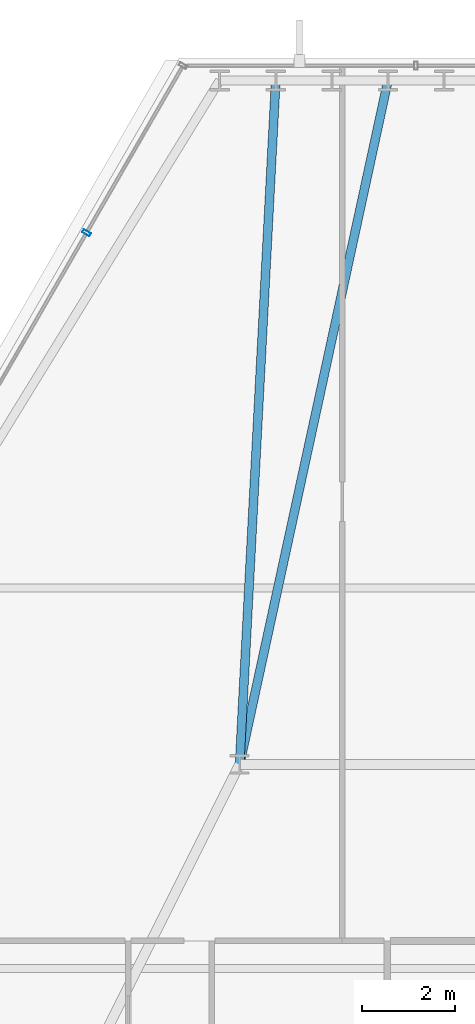
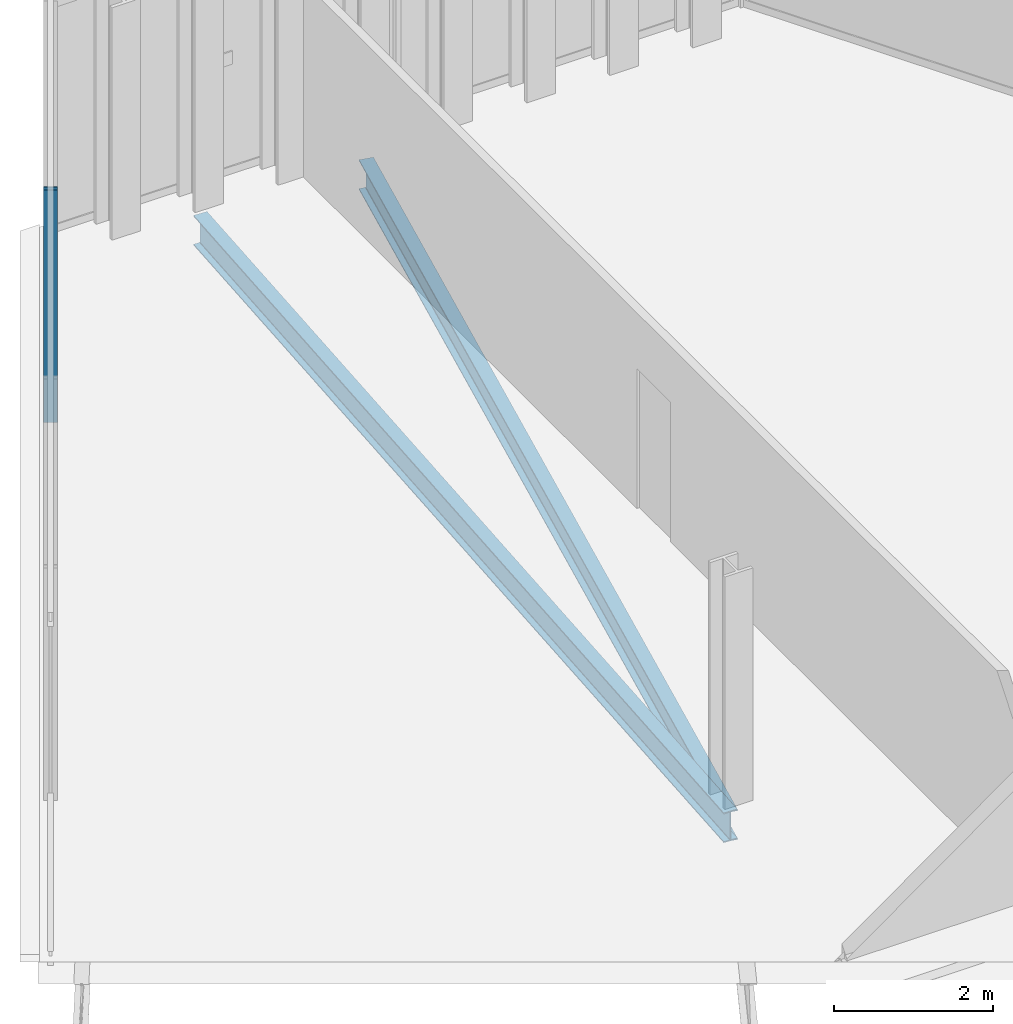
# One storey, part 23 of 35: 2 beams, 1 member, 1 element without a shape of its own.
"""IFC4 building model written with IfcOpenShell, lengths in metres."""

from ifc_helpers import new_model, si_unit, direction, frame, origin, origin_2d, place, context, subcontext, project, spatial, hollow_rectangle, i_section, extrude, material, layer, layer_set, material_profile, profile_set, type_object, element, aggregate, save


model = new_model("IFC4")

# Units and contexts
model_context = context("Model", 3, precision=1e-05, world=origin(), true_north=direction((0.0, 1.0)))
body_context = subcontext(model_context, "Body", "Model", "MODEL_VIEW")
ifc_project = project(units=[si_unit("LENGTHUNIT", "METRE"), si_unit("AREAUNIT", "SQUARE_METRE"), si_unit("VOLUMEUNIT", "CUBIC_METRE"), si_unit("PLANEANGLEUNIT", "RADIAN"), si_unit("MASSUNIT", "GRAM", prefix="KILO")], contexts=[model_context])

# Site, building, storey
site_placement = place(None, origin())
site = spatial("IfcSite", under=ifc_project, at=site_placement, CompositionType="ELEMENT")
building_placement = place(site_placement, origin())
building = spatial("IfcBuilding", under=site, at=building_placement, Name="Ndaravel Arena Tower", CompositionType="ELEMENT")
storey_placement = place(building_placement, frame((0.0, 0.0, 172.60009765625)))
storey = spatial("IfcBuildingStorey", under=building, at=storey_placement, Name="L41", CompositionType="ELEMENT", Elevation=172.60009765625)

# Beams
ifc_material_1 = material(Name="Steel S355", Category="steel")
ifc_material_profile_1 = material_profile(ifc_material_1, i_section(OverallWidth=0.19140625, OverallDepth=0.4599609375, WebThickness=0.010009765625, FlangeThickness=0.01611328125, FilletRadius=0.01025390625, at=origin_2d()), Name="UB 457x191x82")
ifc_profile_set_1 = profile_set([ifc_material_profile_1], Name="Steel S355")
beam_type = type_object("IfcBeamType", Name="BM-GIRD-UB457", PredefinedType="BEAM", material=ifc_profile_set_1)
beam_1_placement = place(storey_placement, frame((41.395751953125, 45.92822265625, -0.4501953125), z_axis=(-0.212049645047, -0.977258895092, 0.0), x_axis=(0.977258895092, -0.212049645047, 0.0)))
element("IfcBeam", 1, at=beam_1_placement, inside=storey, type_object=beam_type, Name="L41 Radial Floor Girder FG-15", PredefinedType="BEAM", context=body_context, shape_type="SweptSolid", body=[
    extrude(i_section(OverallWidth=0.19140625, OverallDepth=0.4599609375, WebThickness=0.010009765625, FlangeThickness=0.01611328125, FilletRadius=0.01025390625, at=origin_2d()), origin(), (0.0, 0.0, 1.0), 15.071044921875),
])
beam_2_placement = place(storey_placement, frame((38.978759765625, 45.92822265625, -0.4501953125), z_axis=(-0.052804705985, -0.998604858303, 0.0), x_axis=(0.998604858303, -0.052804705985, 0.0)))
element("IfcBeam", 2, at=beam_2_placement, inside=storey, type_object=beam_type, Name="L41 Radial Floor Girder FG-17", PredefinedType="BEAM", context=body_context, shape_type="SweptSolid", body=[
    extrude(i_section(OverallWidth=0.19140625, OverallDepth=0.4599609375, WebThickness=0.010009765625, FlangeThickness=0.01611328125, FilletRadius=0.01025390625, at=origin_2d()), origin(), (0.0, 0.0, 1.0), 14.748779296875),
])

# Curtain wall, member
ifc_material_2 = material(Name="Aluminium", Category="aluminium")
ifc_layer = layer(ifc_material_2, 0.179931640625)
ifc_layer_set = layer_set([ifc_layer], Name="Aluminium")
curtain_wall_type = type_object("IfcCurtainWallType", Name="CW-SYS-03", PredefinedType="NOTDEFINED", material=ifc_layer_set)
curtain_wall_placement = place(storey_placement, origin())
curtain_wall = element("IfcCurtainWall", 3, at=curtain_wall_placement, inside=storey, type_object=curtain_wall_type, Name="L41 Faceted Crystal Curtain Wall CW-L41-E05", PredefinedType="NOTDEFINED")
ifc_material_3 = material(Name="Aluminium", Category="aluminium")
ifc_material_profile_2 = material_profile(ifc_material_3, hollow_rectangle(XDim=0.074951171875, YDim=0.179931640625, WallThickness=0.00390625, at=origin_2d()), Name="CW MULLION 75x180x4")
ifc_profile_set_2 = profile_set([ifc_material_profile_2], Name="Aluminium")
member_type = type_object("IfcMemberType", Name="MEM-CW-MUL180", PredefinedType="MULLION", material=ifc_profile_set_2)
member_placement = place(storey_placement, frame((34.903076171875, 42.648681640625, 0.0), z_axis=(0.0, 0.0, 1.0), x_axis=(-0.5, -0.866025403784, 0.0)))
member = element("IfcMember", 4, at=member_placement, type_object=member_type, Name="CW-L41-E05 Mullion 01", PredefinedType="MULLION", context=body_context, shape_type="SweptSolid", body=[
    extrude(hollow_rectangle(XDim=0.074951171875, YDim=0.179931640625, WallThickness=0.00390625, at=origin_2d()), origin(), (0.0, 0.0, 1.0), 3.579833984375),
])
aggregate(curtain_wall, [member])

save(model, "model.ifc")
